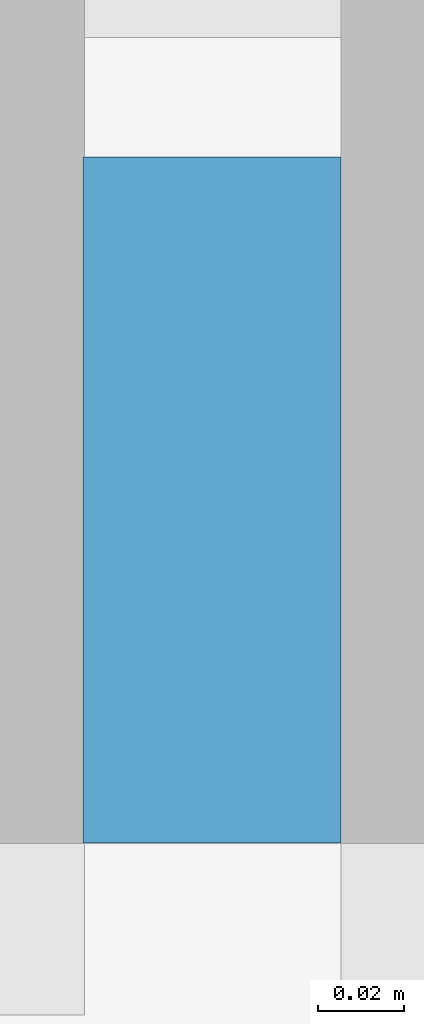
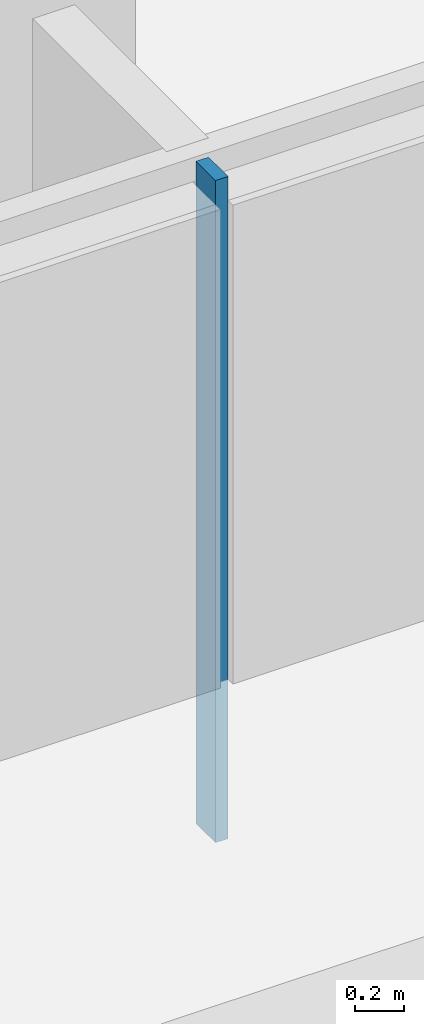
# One storey, part 7 of 30: 1 member, 1 element without a shape of its own.
"""IFC4 building model written with IfcOpenShell, lengths in metres."""

from ifc_helpers import new_model, si_unit, direction, frame, origin, origin_2d, place, context, subcontext, project, spatial, rectangle, extrude, material, material_profile, profile_set, type_object, element, aggregate, save


model = new_model("IFC4")

# Units and contexts
model_context = context("Model", 3, precision=1e-05, world=origin(), true_north=direction((0.0, 1.0)))
body_context = subcontext(model_context, "Body", "Model", "MODEL_VIEW")
ifc_project = project(units=[si_unit("LENGTHUNIT", "METRE"), si_unit("AREAUNIT", "SQUARE_METRE"), si_unit("VOLUMEUNIT", "CUBIC_METRE"), si_unit("PLANEANGLEUNIT", "RADIAN"), si_unit("MASSUNIT", "GRAM", prefix="KILO")], contexts=[model_context])

# Site, building, storey
site_placement = place(None, origin())
site = spatial("IfcSite", under=ifc_project, at=site_placement, CompositionType="ELEMENT")
building_placement = place(site_placement, origin())
building = spatial("IfcBuilding", under=site, at=building_placement, Name="Saffron Gate Tower", CompositionType="ELEMENT")
storey_placement = place(building_placement, frame((0.0, 0.0, 95.25)))
storey = spatial("IfcBuildingStorey", under=building, at=storey_placement, Name="L21", CompositionType="ELEMENT", Elevation=95.25)

# Curtain wall, member
ifc_material = material(Name="Aluminium, bronze anodised", Category="aluminium")
curtain_wall_type = type_object("IfcCurtainWallType", Name="CWS1 curtain wall front facade", PredefinedType="NOTDEFINED", material=ifc_material)
curtain_wall_placement = place(storey_placement, origin())
curtain_wall = element("IfcCurtainWall", 1, at=curtain_wall_placement, inside=storey, type_object=curtain_wall_type, Name="CWS1 run 1", PredefinedType="NOTDEFINED")
ifc_material_profile = material_profile(ifc_material, rectangle(XDim=0.159912109375, YDim=0.06005859375, at=origin_2d()))
ifc_profile_set = profile_set([ifc_material_profile], Name="Aluminium, bronze anodised")
member_type = type_object("IfcMemberType", Name="CWS1 mullion 60x160", PredefinedType="MULLION", material=ifc_profile_set)
member_placement = place(storey_placement, frame((83.39990234375, 30.080078125, 0.0), z_axis=(0.0, 0.0, 1.0), x_axis=(0.0, 1.0, 0.0)))
member = element("IfcMember", 2, at=member_placement, type_object=member_type, Name="CWS1 mullion 5", PredefinedType="MULLION", context=body_context, shape_type="SweptSolid", body=[
    extrude(rectangle(XDim=0.159912109375, YDim=0.06005859375, at=origin_2d()), origin(), (0.0, 0.0, 1.0), 3.320068359375),
])
aggregate(curtain_wall, [member])

save(model, "model.ifc")
